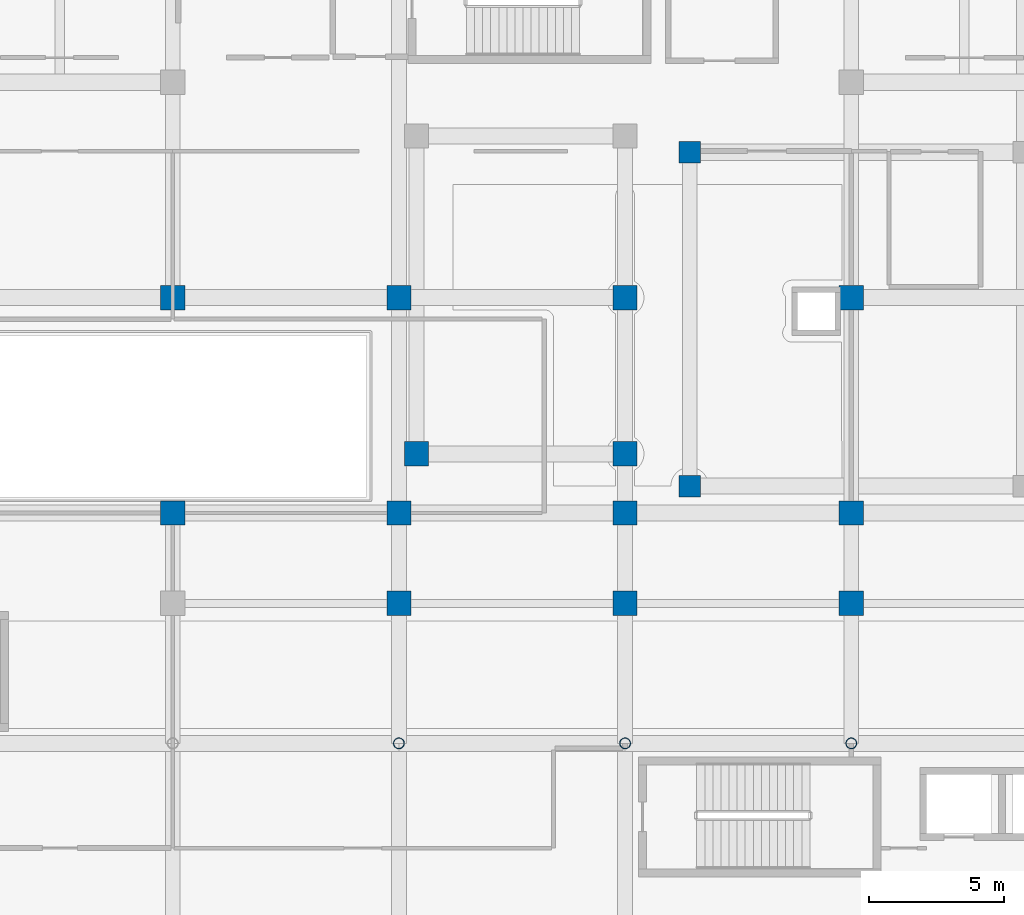
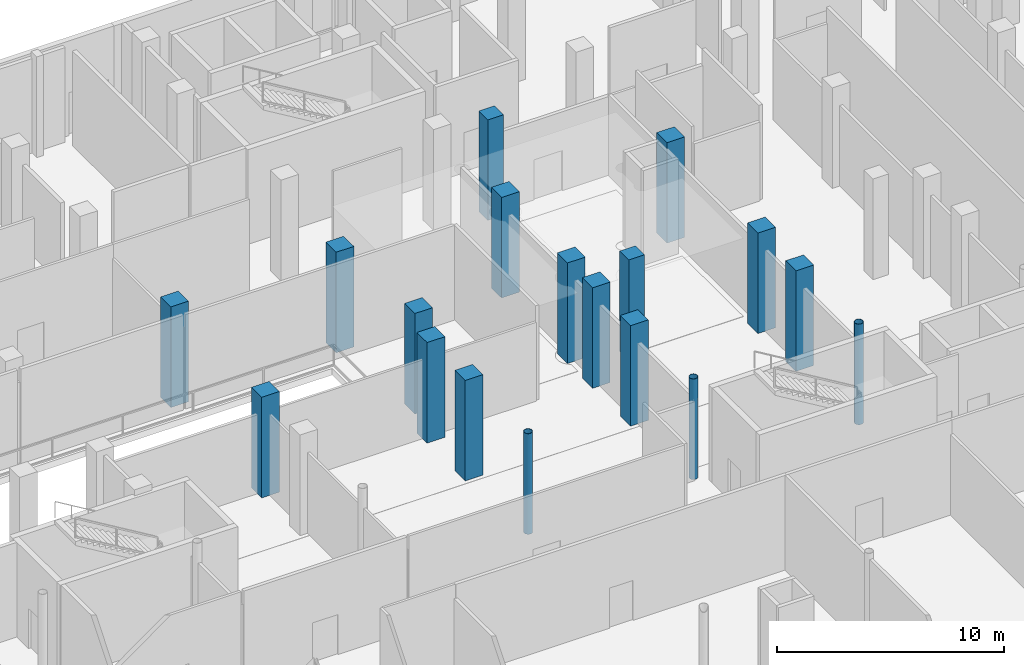
# One storey, part 9 of 158: 18 columns.
"""IFC4 building model written with IfcOpenShell, lengths in metres."""

from ifc_helpers import new_model, si_unit, direction, frame, origin, origin_2d, place, context, subcontext, project, spatial, rectangle, hollow_circle, extrude, material, material_profile, profile_set, type_object, element, save


model = new_model("IFC4")

# Units and contexts
model_context = context("Model", 3, precision=1e-05, world=origin(), true_north=direction((0.0, 1.0)))
body_context = subcontext(model_context, "Body", "Model", "MODEL_VIEW")
ifc_project = project(units=[si_unit("LENGTHUNIT", "METRE"), si_unit("AREAUNIT", "SQUARE_METRE"), si_unit("VOLUMEUNIT", "CUBIC_METRE"), si_unit("PLANEANGLEUNIT", "RADIAN"), si_unit("MASSUNIT", "GRAM", prefix="KILO")], contexts=[model_context])

# Site, building, storey
site_placement = place(None, origin())
site = spatial("IfcSite", under=ifc_project, at=site_placement, CompositionType="ELEMENT")
building_placement = place(site_placement, origin())
building = spatial("IfcBuilding", under=site, at=building_placement, Name="Selatvlak General Hospital", CompositionType="ELEMENT")
storey_placement = place(building_placement, origin())
storey = spatial("IfcBuildingStorey", under=building, at=storey_placement, Name="L00", CompositionType="ELEMENT", Elevation=0.0)

# Columns
ifc_material_1 = material(Name="Steel S355", Category="steel")
ifc_material_profile_1 = material_profile(ifc_material_1, hollow_circle(Radius=0.203125, WallThickness=0.01611328125, at=origin_2d()), Name="CHS 406.4x16")
ifc_profile_set_1 = profile_set([ifc_material_profile_1], Name="Steel S355")
column_type_1 = type_object("IfcColumnType", Name="COL-CHS406", PredefinedType="COLUMN", material=ifc_profile_set_1)
for number, where, z_axis, x_axis, name in (
    (1, (48.0, 83.449951171875, 0.0), (0.0, 0.0, 1.0), (1.0, 0.0, 0.0), "Column 012 on L00"),
    (2, (56.39990234375, 83.449951171875, 0.0), (0.0, 0.0, 1.0), (1.0, 0.0, 0.0), "Column 015 on L00"),
    (3, (64.800048828125, 83.449951171875, 0.0), (0.0, 0.0, 1.0), (1.0, 0.0, 0.0), "Column 018 on L00"),
):
    element("IfcColumn", number, at=place(storey_placement, frame(where, z_axis=z_axis, x_axis=x_axis)), inside=storey, type_object=column_type_1, Name=name, PredefinedType="COLUMN", context=body_context, shape_type="SweptSolid", body=[
        extrude(hollow_circle(Radius=0.203125, WallThickness=0.01611328125, at=origin_2d()), origin(), (0.0, 0.0, 1.0), 5.39990234375),
    ])
ifc_material_2 = material(Name="Concrete C50/60", Category="concrete")
ifc_material_profile_2 = material_profile(ifc_material_2, rectangle(XDim=0.800048828125, YDim=0.800048828125, at=origin_2d()), Name="RC-COL 800x800")
ifc_profile_set_2 = profile_set([ifc_material_profile_2], Name="Concrete C50/60")
column_type_2 = type_object("IfcColumnType", Name="COL-RC80", PredefinedType="COLUMN", material=ifc_profile_set_2)
for number, where, z_axis, x_axis, name in (
    (4, (58.800048828125, 93.0, 0.0), (0.0, 0.0, 1.0), (1.0, 0.0, 0.0), "Column 037 on L00"),
    (5, (58.800048828125, 105.39990234375, 0.0), (0.0, 0.0, 1.0), (1.0, 0.0, 0.0), "Column 038 on L00"),
):
    element("IfcColumn", number, at=place(storey_placement, frame(where, z_axis=z_axis, x_axis=x_axis)), inside=storey, type_object=column_type_2, Name=name, PredefinedType="COLUMN", context=body_context, shape_type="SweptSolid", body=[
        extrude(rectangle(XDim=0.800048828125, YDim=0.800048828125, at=origin_2d()), origin(), (0.0, 0.0, 1.0), 5.39990234375),
    ])
ifc_material_profile_3 = material_profile(ifc_material_2, rectangle(XDim=0.89990234375, YDim=0.89990234375, at=origin_2d()), Name="RC-COL 900x900")
ifc_profile_set_3 = profile_set([ifc_material_profile_3], Name="Concrete C50/60")
column_type_3 = type_object("IfcColumnType", Name="COL-RC90", PredefinedType="COLUMN", material=ifc_profile_set_3)
for number, where, z_axis, x_axis, name in (
    (6, (48.64990234375, 94.199951171875, 0.0), (0.0, 0.0, 1.0), (1.0, 0.0, 0.0), "Column 046 on L00"),
    (7, (56.39990234375, 94.199951171875, 0.0), (0.0, 0.0, 1.0), (1.0, 0.0, 0.0), "Column 047 on L00"),
    (8, (39.60009765625, 92.0, 0.0), (0.0, 0.0, 1.0), (1.0, 0.0, 0.0), "Column 171 on L00"),
    (9, (39.60009765625, 100.0, 0.0), (0.0, 0.0, 1.0), (1.0, 0.0, 0.0), "Column 172 on L00"),
    (10, (48.0, 88.64990234375, 0.0), (0.0, 0.0, 1.0), (1.0, 0.0, 0.0), "Column 177 on L00"),
    (11, (48.0, 92.0, 0.0), (0.0, 0.0, 1.0), (1.0, 0.0, 0.0), "Column 178 on L00"),
    (12, (48.0, 100.0, 0.0), (0.0, 0.0, 1.0), (1.0, 0.0, 0.0), "Column 179 on L00"),
    (13, (56.39990234375, 88.64990234375, 0.0), (0.0, 0.0, 1.0), (1.0, 0.0, 0.0), "Column 181 on L00"),
    (14, (56.39990234375, 92.0, 0.0), (0.0, 0.0, 1.0), (1.0, 0.0, 0.0), "Column 182 on L00"),
    (15, (56.39990234375, 100.0, 0.0), (0.0, 0.0, 1.0), (1.0, 0.0, 0.0), "Column 183 on L00"),
    (16, (64.800048828125, 88.64990234375, 0.0), (0.0, 0.0, 1.0), (1.0, 0.0, 0.0), "Column 186 on L00"),
    (17, (64.800048828125, 92.0, 0.0), (0.0, 0.0, 1.0), (1.0, 0.0, 0.0), "Column 187 on L00"),
    (18, (64.800048828125, 100.0, 0.0), (0.0, 0.0, 1.0), (1.0, 0.0, 0.0), "Column 188 on L00"),
):
    element("IfcColumn", number, at=place(storey_placement, frame(where, z_axis=z_axis, x_axis=x_axis)), inside=storey, type_object=column_type_3, Name=name, PredefinedType="COLUMN", context=body_context, shape_type="SweptSolid", body=[
        extrude(rectangle(XDim=0.89990234375, YDim=0.89990234375, at=origin_2d()), origin(), (0.0, 0.0, 1.0), 5.39990234375),
    ])

save(model, "model.ifc")
